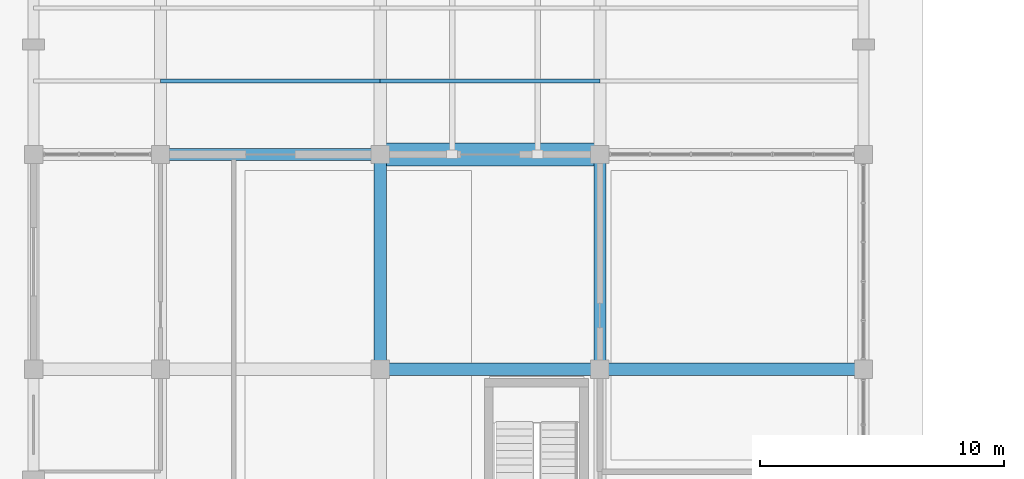
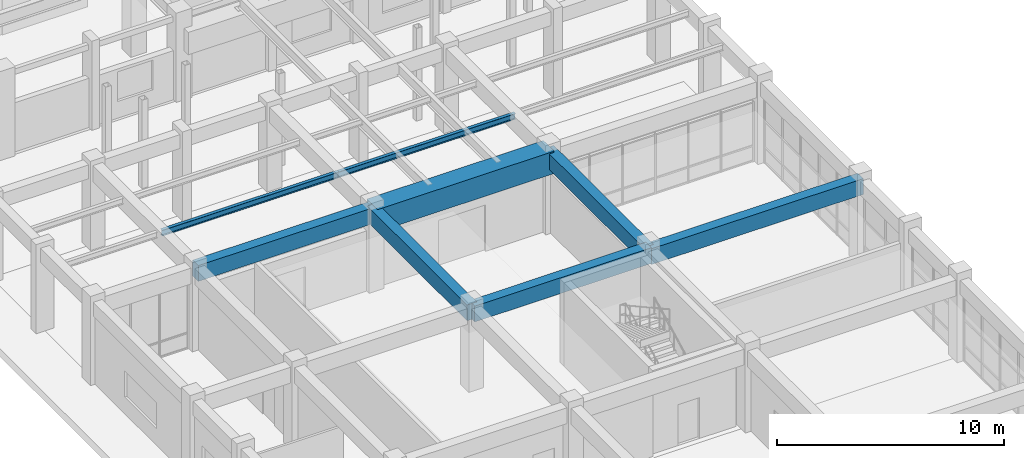
# One storey, part 7 of 47: 6 beams, 2 members.
"""IFC4 building model written with IfcOpenShell, lengths in metres."""

from ifc_helpers import new_model, si_unit, direction, frame, origin, origin_2d, place, context, subcontext, project, spatial, rectangle, i_section, extrude, material, material_profile, profile_set, type_object, element, save


model = new_model("IFC4")

# Units and contexts
model_context = context("Model", 3, precision=1e-05, world=origin(), true_north=direction((0.0, 1.0)))
body_context = subcontext(model_context, "Body", "Model", "MODEL_VIEW")
ifc_project = project(units=[si_unit("LENGTHUNIT", "METRE"), si_unit("AREAUNIT", "SQUARE_METRE"), si_unit("VOLUMEUNIT", "CUBIC_METRE"), si_unit("PLANEANGLEUNIT", "RADIAN"), si_unit("MASSUNIT", "GRAM", prefix="KILO")], contexts=[model_context])

# Site, building, storey
site_placement = place(None, origin())
site = spatial("IfcSite", under=ifc_project, at=site_placement, CompositionType="ELEMENT")
building_placement = place(site_placement, origin())
building = spatial("IfcBuilding", under=site, at=building_placement, Name="Ventoquebrada Cableway Terminal", CompositionType="ELEMENT")
storey_placement = place(building_placement, origin())
storey = spatial("IfcBuildingStorey", under=building, at=storey_placement, Name="L00", CompositionType="ELEMENT", Elevation=0.0)

# Beams
ifc_material_1 = material(Name="Concrete C40/50", Category="concrete")
ifc_material_profile_1 = material_profile(ifc_material_1, rectangle(XDim=0.5, YDim=0.85009765625, at=origin_2d()), Name="RC-BM-500X850")
ifc_profile_set_1 = profile_set([ifc_material_profile_1], Name="Concrete C40/50")
beam_type_1 = type_object("IfcBeamType", Name="BM-RC04", PredefinedType="BEAM", material=ifc_profile_set_1)
beam_1_placement = place(storey_placement, frame((17.199951171875, 38.199951171875, 4.014892578125), z_axis=(1.0, 0.0, 0.0), x_axis=(0.0, 1.0, 0.0)))
element("IfcBeam", 1, at=beam_1_placement, inside=storey, type_object=beam_type_1, Name="Primary frame girder FBM-0094", PredefinedType="BEAM", context=body_context, shape_type="SweptSolid", body=[
    extrude(rectangle(XDim=0.5, YDim=0.85009765625, at=origin_2d()), origin(), (0.0, 0.0, 1.0), 9.0),
])
beam_2_placement = place(storey_placement, frame((26.199951171875, 38.199951171875, 3.955078125), z_axis=(1.0, 0.0, 0.0), x_axis=(0.0, 1.0, 0.0)))
element("IfcBeam", 2, at=beam_2_placement, inside=storey, type_object=beam_type_1, Name="Primary frame girder FBM-0095", PredefinedType="BEAM", context=body_context, shape_type="SweptSolid", body=[
    extrude(rectangle(XDim=0.5, YDim=0.85009765625, at=origin_2d()), origin(), (0.0, 0.0, 1.0), 10.800048828125),
])
beam_3_placement = place(storey_placement, frame((8.199951171875, 47.0, 4.014892578125), z_axis=(1.0, 0.0, 0.0), x_axis=(0.0, 1.0, 0.0)))
element("IfcBeam", 3, at=beam_3_placement, inside=storey, type_object=beam_type_1, Name="Primary frame girder FBM-0097", PredefinedType="BEAM", context=body_context, shape_type="SweptSolid", body=[
    extrude(rectangle(XDim=0.5, YDim=0.85009765625, at=origin_2d()), origin(), (0.0, 0.0, 1.0), 9.0),
])
for number, where, z_axis, x_axis, name in (
    (4, (17.199951171875, 38.199951171875, 4.014892578125), (0.0, 1.0, 0.0), (-1.0, 0.0, 0.0), "Primary frame girder FBM-0127"),
    (5, (26.199951171875, 38.199951171875, 3.955078125), (0.0, 1.0, 0.0), (-1.0, 0.0, 0.0), "Primary frame girder FBM-0133"),
):
    element("IfcBeam", number, at=place(storey_placement, frame(where, z_axis=z_axis, x_axis=x_axis)), inside=storey, type_object=beam_type_1, Name=name, PredefinedType="BEAM", context=body_context, shape_type="SweptSolid", body=[
        extrude(rectangle(XDim=0.5, YDim=0.85009765625, at=origin_2d()), origin(), (0.0, 0.0, 1.0), 8.800048828125),
    ])
ifc_material_profile_2 = material_profile(ifc_material_1, rectangle(XDim=0.949951171875, YDim=1.199951171875, at=origin_2d()), Name="RC-BM-950X1200")
ifc_profile_set_2 = profile_set([ifc_material_profile_2], Name="Concrete C40/50")
beam_type_2 = type_object("IfcBeamType", Name="BM-RC06", PredefinedType="BEAM", material=ifc_profile_set_2)
beam_4_placement = place(storey_placement, frame((17.199951171875, 47.0, 3.840087890625), z_axis=(1.0, 0.0, 0.0), x_axis=(0.0, 1.0, 0.0)))
element("IfcBeam", 6, at=beam_4_placement, inside=storey, type_object=beam_type_2, Name="Primary frame girder FBM-0098", PredefinedType="BEAM", context=body_context, shape_type="SweptSolid", body=[
    extrude(rectangle(XDim=0.949951171875, YDim=1.199951171875, at=origin_2d()), origin(), (0.0, 0.0, 1.0), 9.0),
])

# Members
ifc_material_2 = material(Name="Steel ASTM A992 Grade 50", Category="steel")
ifc_material_profile_3 = material_profile(ifc_material_2, i_section(OverallWidth=0.1650390625, OverallDepth=0.31005859375, WebThickness=0.005859375, FlangeThickness=0.009765625, at=origin_2d()), Name="W12X26")
ifc_profile_set_3 = profile_set([ifc_material_profile_3], Name="Steel ASTM A992 Grade 50")
member_type = type_object("IfcMemberType", Name="PUR-RF05", PredefinedType="PURLIN", material=ifc_profile_set_3)
for number, where, z_axis, x_axis, name in (
    (7, (8.199951171875, 50.0, 4.260009765625), (1.0, 0.0, 0.0), (0.0, 1.0, 0.0), "Roof support purlin RPR-0466"),
    (8, (17.199951171875, 50.0, 4.260009765625), (1.0, 0.0, 0.0), (0.0, 1.0, 0.0), "Roof support purlin RPR-0467"),
):
    element("IfcMember", number, at=place(storey_placement, frame(where, z_axis=z_axis, x_axis=x_axis)), inside=storey, type_object=member_type, Name=name, PredefinedType="PURLIN", context=body_context, shape_type="SweptSolid", body=[
        extrude(i_section(OverallWidth=0.1650390625, OverallDepth=0.31005859375, WebThickness=0.005859375, FlangeThickness=0.009765625, at=origin_2d()), origin(), (0.0, 0.0, 1.0), 9.0),
    ])

save(model, "model.ifc")
